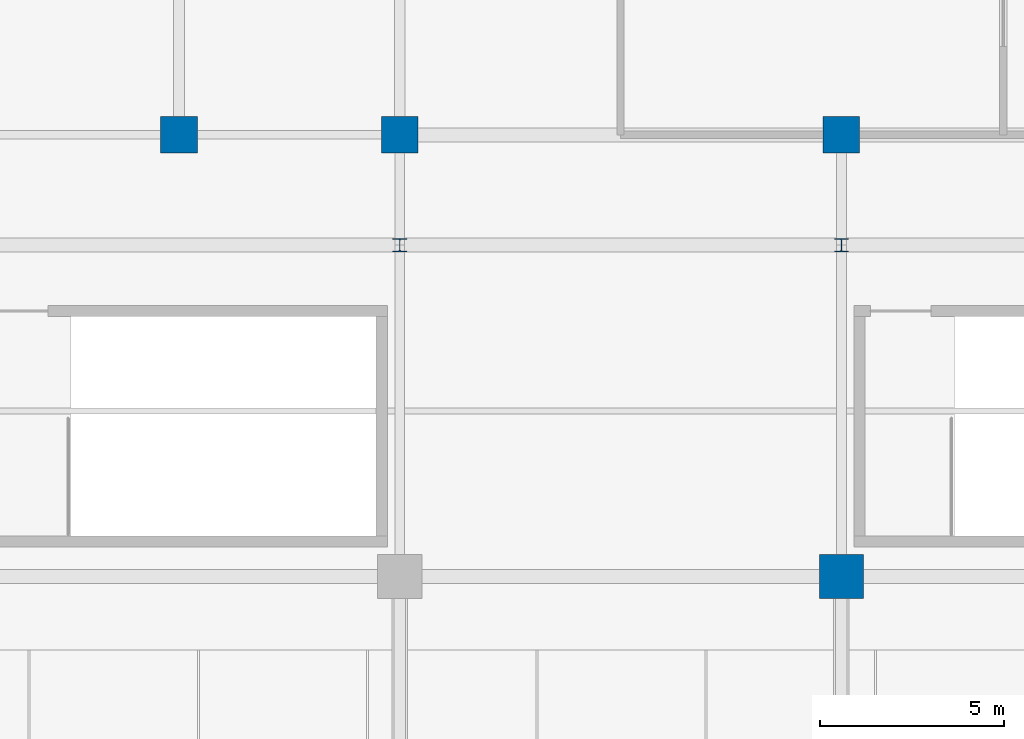
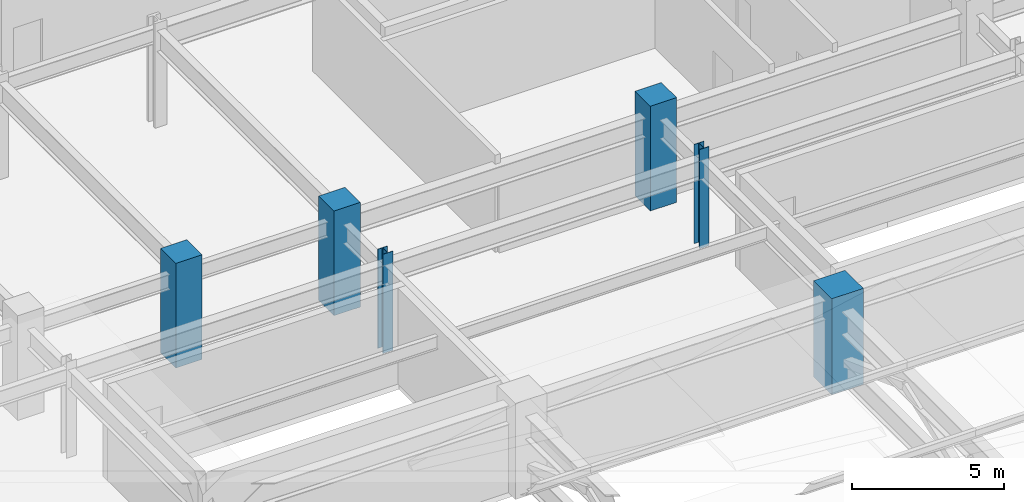
# One storey, part 8 of 108: 6 columns.
"""IFC4 building model written with IfcOpenShell, lengths in metres."""

from ifc_helpers import new_model, si_unit, direction, frame, origin, origin_2d, place, context, subcontext, project, spatial, rectangle, i_section, extrude, material, material_profile, profile_set, type_object, element, save


model = new_model("IFC4")

# Units and contexts
model_context = context("Model", 3, precision=1e-05, world=origin(), true_north=direction((0.0, 1.0)))
body_context = subcontext(model_context, "Body", "Model", "MODEL_VIEW")
ifc_project = project(units=[si_unit("LENGTHUNIT", "METRE"), si_unit("AREAUNIT", "SQUARE_METRE"), si_unit("VOLUMEUNIT", "CUBIC_METRE"), si_unit("PLANEANGLEUNIT", "RADIAN"), si_unit("MASSUNIT", "GRAM", prefix="KILO")], contexts=[model_context])

# Site, building, storey
site_placement = place(None, origin())
site = spatial("IfcSite", under=ifc_project, at=site_placement, CompositionType="ELEMENT")
building_placement = place(site_placement, origin())
building = spatial("IfcBuilding", under=site, at=building_placement, Name="Kaldorvane Square Convention Centre", CompositionType="ELEMENT")
storey_placement = place(building_placement, frame((0.0, 0.0, 23.399993896484375)))
storey = spatial("IfcBuildingStorey", under=building, at=storey_placement, Name="L04", CompositionType="ELEMENT", Elevation=23.399993896484375)

# Columns
ifc_material_1 = material(Name="Concrete f'c = 55 MPa (Normalweight)", Category="concrete")
ifc_material_profile_1 = material_profile(ifc_material_1, rectangle(XDim=1.1999969482421875, YDim=1.1999969482421875, at=origin_2d()), Name="RC1200X1200")
ifc_profile_set_1 = profile_set([ifc_material_profile_1], Name="Concrete f'c = 55 MPa (Normalweight)")
column_type_1 = type_object("IfcColumnType", Name="COL-MEGA-1200", PredefinedType="COLUMN", material=ifc_profile_set_1)
column_placement = place(storey_placement, frame((54.0, 72.0, 0.0), z_axis=(0.0, 0.0, 1.0), x_axis=(1.0, 0.0, 0.0)))
element("IfcColumn", 1, at=column_placement, inside=storey, type_object=column_type_1, Name="Column MC-02 (L04)", PredefinedType="COLUMN", context=body_context, shape_type="SweptSolid", body=[
    extrude(rectangle(XDim=1.1999969482421875, YDim=1.1999969482421875, at=origin_2d()), origin(), (0.0, 0.0, 1.0), 3.850006103515625),
])
ifc_material_profile_2 = material_profile(ifc_material_1, rectangle(XDim=1.0, YDim=1.0, at=origin_2d()), Name="RC1000X1000")
ifc_profile_set_2 = profile_set([ifc_material_profile_2], Name="Concrete f'c = 55 MPa (Normalweight)")
column_type_2 = type_object("IfcColumnType", Name="COL-RC-1000", PredefinedType="COLUMN", material=ifc_profile_set_2)
for number, where, z_axis, x_axis, name in (
    (2, (36.0, 84.0, 0.0), (0.0, 0.0, 1.0), (1.0, 0.0, 0.0), "Column CC-02 (L04)"),
    (3, (42.0, 84.0, 0.0), (0.0, 0.0, 1.0), (1.0, 0.0, 0.0), "Column CC-02 (L04)"),
    (4, (54.0, 84.0, 0.0), (0.0, 0.0, 1.0), (1.0, 0.0, 0.0), "Column CC-02 (L04)"),
):
    element("IfcColumn", number, at=place(storey_placement, frame(where, z_axis=z_axis, x_axis=x_axis)), inside=storey, type_object=column_type_2, Name=name, PredefinedType="COLUMN", context=body_context, shape_type="SweptSolid", body=[
        extrude(rectangle(XDim=1.0, YDim=1.0, at=origin_2d()), origin(), (0.0, 0.0, 1.0), 4.20001220703125),
    ])
ifc_material_2 = material(Name="Steel ASTM A992 Gr. 50", Category="steel")
ifc_material_profile_3 = material_profile(ifc_material_2, i_section(OverallWidth=0.3701019287109375, OverallDepth=0.360198974609375, WebThickness=0.012298583984375, FlangeThickness=0.019805908203125, FilletRadius=0.0305023193359375, at=origin_2d()), Name="W14X99")
ifc_profile_set_3 = profile_set([ifc_material_profile_3], Name="Steel ASTM A992 Gr. 50")
column_type_3 = type_object("IfcColumnType", Name="COL-STL-99", PredefinedType="COLUMN", material=ifc_profile_set_3)
for number, where, z_axis, x_axis, name in (
    (5, (42.0, 81.0, 0.0), (0.0, 0.0, 1.0), (1.0, 0.0, 0.0), "Column SC-12 (L04)"),
    (6, (54.0, 81.0, 0.0), (0.0, 0.0, 1.0), (1.0, 0.0, 0.0), "Column SC-12 (L04)"),
):
    element("IfcColumn", number, at=place(storey_placement, frame(where, z_axis=z_axis, x_axis=x_axis)), inside=storey, type_object=column_type_3, Name=name, PredefinedType="COLUMN", context=body_context, shape_type="SweptSolid", body=[
        extrude(i_section(OverallWidth=0.3701019287109375, OverallDepth=0.360198974609375, WebThickness=0.012298583984375, FlangeThickness=0.019805908203125, FilletRadius=0.0305023193359375, at=origin_2d()), origin(), (0.0, 0.0, 1.0), 3.975006103515625),
    ])

save(model, "model.ifc")
